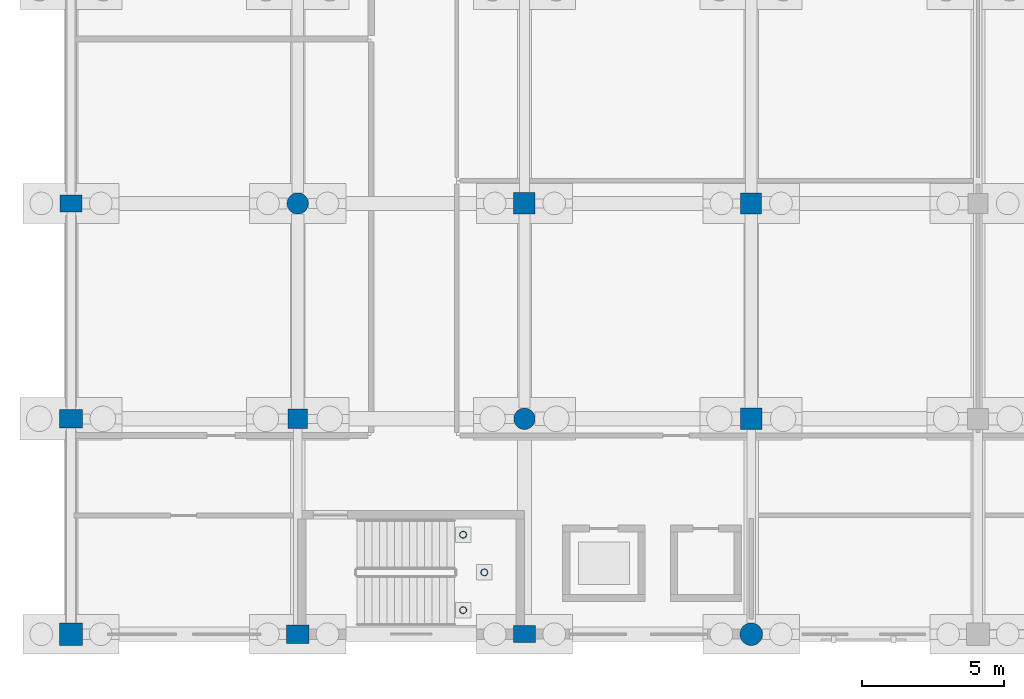
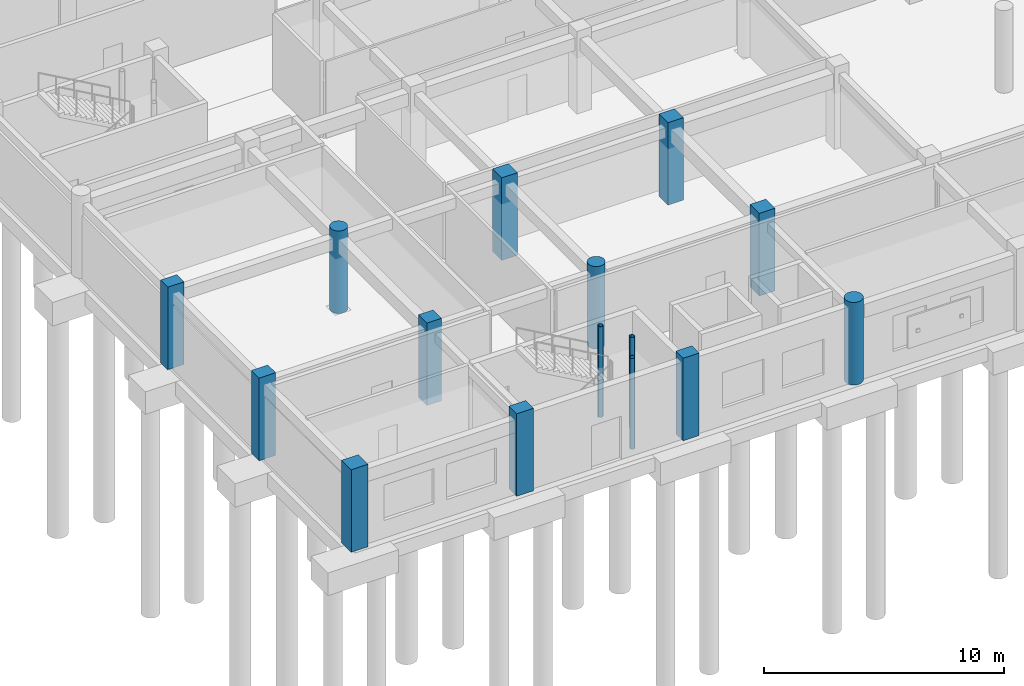
# One storey, part 2 of 11: 15 columns.
"""IFC4 building model written with IfcOpenShell, lengths in metres."""

from ifc_helpers import new_model, si_unit, direction, frame, origin, origin_2d, place, context, subcontext, project, spatial, rectangle, circle, hollow_circle, extrude, material, material_profile, profile_set, type_object, element, save


model = new_model("IFC4")

# Units and contexts
model_context = context("Model", 3, precision=1e-05, world=origin(), true_north=direction((0.0, 1.0)))
body_context = subcontext(model_context, "Body", "Model", "MODEL_VIEW")
ifc_project = project(units=[si_unit("LENGTHUNIT", "METRE"), si_unit("AREAUNIT", "SQUARE_METRE"), si_unit("VOLUMEUNIT", "CUBIC_METRE"), si_unit("PLANEANGLEUNIT", "RADIAN"), si_unit("MASSUNIT", "GRAM", prefix="KILO")], contexts=[model_context])

# Site, building, storey
site_placement = place(None, origin())
site = spatial("IfcSite", under=ifc_project, at=site_placement, CompositionType="ELEMENT")
building_placement = place(site_placement, origin())
building = spatial("IfcBuilding", under=site, at=building_placement, Name="Kharva Crest Polytechnic", CompositionType="ELEMENT")
storey_placement = place(building_placement, frame((0.0, 0.0, -4.199951171875)))
storey = spatial("IfcBuildingStorey", under=building, at=storey_placement, Name="LG", CompositionType="ELEMENT", Elevation=-4.199951171875)

# Columns
ifc_material_1 = material(Name="Concrete C40/50", Category="concrete")
ifc_material_profile_1 = material_profile(ifc_material_1, rectangle(XDim=0.780029296875, YDim=0.60009765625, at=origin_2d()), Name="RECT 780 X 600")
ifc_profile_set_1 = profile_set([ifc_material_profile_1], Name="Concrete C40/50")
column_type_1 = type_object("IfcColumnType", Name="COL-EXT-780X600", PredefinedType="COLUMN", material=ifc_profile_set_1)
for number, where, z_axis, x_axis, name in (
    (1, (120.800048828125, 15.199951171875, 0.0), (0.0, 0.0, 1.0), (1.0, 0.0, 0.0), "LG Column 16J/C"),
    (2, (136.800048828125, 0.0, 0.0), (0.0, 0.0, 1.0), (1.0, 0.0, 0.0), "LG Column 18/A"),
):
    element("IfcColumn", number, at=place(storey_placement, frame(where, z_axis=z_axis, x_axis=x_axis)), inside=storey, type_object=column_type_1, Name=name, PredefinedType="COLUMN", context=body_context, shape_type="SweptSolid", body=[
        extrude(rectangle(XDim=0.780029296875, YDim=0.60009765625, at=origin_2d()), origin(), (0.0, 0.0, 1.0), 4.199951171875),
    ])
ifc_material_profile_2 = material_profile(ifc_material_1, rectangle(XDim=0.800048828125, YDim=0.64990234375, at=origin_2d()), Name="RECT 800 X 650")
ifc_profile_set_2 = profile_set([ifc_material_profile_2], Name="Concrete C40/50")
column_type_2 = type_object("IfcColumnType", Name="COL-EXT-800X650", PredefinedType="COLUMN", material=ifc_profile_set_2)
for number, where, z_axis, x_axis, name in (
    (3, (120.800048828125, 7.60009765625, 0.0), (0.0, 0.0, 1.0), (1.0, 0.0, 0.0), "LG Column 16J/B"),
    (4, (128.800048828125, 0.0, 0.0), (0.0, 0.0, 1.0), (1.0, 0.0, 0.0), "LG Column 17/A"),
):
    element("IfcColumn", number, at=place(storey_placement, frame(where, z_axis=z_axis, x_axis=x_axis)), inside=storey, type_object=column_type_2, Name=name, PredefinedType="COLUMN", context=body_context, shape_type="SweptSolid", body=[
        extrude(rectangle(XDim=0.800048828125, YDim=0.64990234375, at=origin_2d()), origin(), (0.0, 0.0, 1.0), 4.199951171875),
    ])
ifc_material_profile_3 = material_profile(ifc_material_1, rectangle(XDim=0.800048828125, YDim=0.800048828125, at=origin_2d()), Name="RECT 800 X 800")
ifc_profile_set_3 = profile_set([ifc_material_profile_3], Name="Concrete C40/50")
column_type_3 = type_object("IfcColumnType", Name="COL-EXT-800X800", PredefinedType="COLUMN", material=ifc_profile_set_3)
column_1_placement = place(storey_placement, frame((120.800048828125, 0.0, 0.0), z_axis=(0.0, 0.0, 1.0), x_axis=(1.0, 0.0, 0.0)))
element("IfcColumn", 5, at=column_1_placement, inside=storey, type_object=column_type_3, Name="LG Column 16J/A", PredefinedType="COLUMN", context=body_context, shape_type="SweptSolid", body=[
    extrude(rectangle(XDim=0.800048828125, YDim=0.800048828125, at=origin_2d()), origin(), (0.0, 0.0, 1.0), 4.199951171875),
])
ifc_material_profile_4 = material_profile(ifc_material_1, circle(Radius=0.39990234375, at=origin_2d()), Name="DIA 800")
ifc_profile_set_4 = profile_set([ifc_material_profile_4], Name="Concrete C40/50")
column_type_4 = type_object("IfcColumnType", Name="COL-EXT-DIA800", PredefinedType="COLUMN", material=ifc_profile_set_4)
column_2_placement = place(storey_placement, frame((144.800048828125, 0.0, 0.0), z_axis=(0.0, 0.0, 1.0), x_axis=(1.0, 0.0, 0.0)))
element("IfcColumn", 6, at=column_2_placement, inside=storey, type_object=column_type_4, Name="LG Column 19/A", PredefinedType="COLUMN", context=body_context, shape_type="SweptSolid", body=[
    extrude(circle(Radius=0.39990234375, at=origin_2d()), origin(), (0.0, 0.0, 1.0), 4.199951171875),
])
ifc_material_profile_5 = material_profile(ifc_material_1, rectangle(XDim=0.699951171875, YDim=0.699951171875, at=origin_2d()), Name="RECT 700 X 700")
ifc_profile_set_5 = profile_set([ifc_material_profile_5], Name="Concrete C40/50")
column_type_5 = type_object("IfcColumnType", Name="COL-INT-700X700", PredefinedType="COLUMN", material=ifc_profile_set_5)
column_3_placement = place(storey_placement, frame((128.800048828125, 7.60009765625, 0.0), z_axis=(0.0, 0.0, 1.0), x_axis=(1.0, 0.0, 0.0)))
element("IfcColumn", 7, at=column_3_placement, inside=storey, type_object=column_type_5, Name="LG Column 17/B", PredefinedType="COLUMN", context=body_context, shape_type="SweptSolid", body=[
    extrude(rectangle(XDim=0.699951171875, YDim=0.699951171875, at=origin_2d()), origin(), (0.0, 0.0, 1.0), 4.199951171875),
])
ifc_material_profile_6 = material_profile(ifc_material_1, rectangle(XDim=0.739990234375, YDim=0.739990234375, at=origin_2d()), Name="RECT 740 X 740")
ifc_profile_set_6 = profile_set([ifc_material_profile_6], Name="Concrete C40/50")
column_type_6 = type_object("IfcColumnType", Name="COL-INT-740X740", PredefinedType="COLUMN", material=ifc_profile_set_6)
column_4_placement = place(storey_placement, frame((144.800048828125, 15.199951171875, 0.0), z_axis=(0.0, 0.0, 1.0), x_axis=(1.0, 0.0, 0.0)))
element("IfcColumn", 8, at=column_4_placement, inside=storey, type_object=column_type_6, Name="LG Column 19/C", PredefinedType="COLUMN", context=body_context, shape_type="SweptSolid", body=[
    extrude(rectangle(XDim=0.739990234375, YDim=0.739990234375, at=origin_2d()), origin(), (0.0, 0.0, 1.0), 4.199951171875),
])
ifc_material_profile_7 = material_profile(ifc_material_1, rectangle(XDim=0.760009765625, YDim=0.760009765625, at=origin_2d()), Name="RECT 760 X 760")
ifc_profile_set_7 = profile_set([ifc_material_profile_7], Name="Concrete C40/50")
column_type_7 = type_object("IfcColumnType", Name="COL-INT-760X760", PredefinedType="COLUMN", material=ifc_profile_set_7)
for number, where, z_axis, x_axis, name in (
    (9, (136.800048828125, 15.199951171875, 0.0), (0.0, 0.0, 1.0), (1.0, 0.0, 0.0), "LG Column 18/C"),
    (10, (144.800048828125, 7.60009765625, 0.0), (0.0, 0.0, 1.0), (1.0, 0.0, 0.0), "LG Column 19/B"),
):
    element("IfcColumn", number, at=place(storey_placement, frame(where, z_axis=z_axis, x_axis=x_axis)), inside=storey, type_object=column_type_7, Name=name, PredefinedType="COLUMN", context=body_context, shape_type="SweptSolid", body=[
        extrude(rectangle(XDim=0.760009765625, YDim=0.760009765625, at=origin_2d()), origin(), (0.0, 0.0, 1.0), 4.199951171875),
    ])
ifc_material_profile_8 = material_profile(ifc_material_1, circle(Radius=0.375, at=origin_2d()), Name="DIA 750")
ifc_profile_set_8 = profile_set([ifc_material_profile_8], Name="Concrete C40/50")
column_type_8 = type_object("IfcColumnType", Name="COL-INT-DIA750", PredefinedType="COLUMN", material=ifc_profile_set_8)
for number, where, z_axis, x_axis, name in (
    (11, (128.800048828125, 15.199951171875, 0.0), (0.0, 0.0, 1.0), (1.0, 0.0, 0.0), "LG Column 17/C"),
    (12, (136.800048828125, 7.60009765625, 0.0), (0.0, 0.0, 1.0), (1.0, 0.0, 0.0), "LG Column 18/B"),
):
    element("IfcColumn", number, at=place(storey_placement, frame(where, z_axis=z_axis, x_axis=x_axis)), inside=storey, type_object=column_type_8, Name=name, PredefinedType="COLUMN", context=body_context, shape_type="SweptSolid", body=[
        extrude(circle(Radius=0.375, at=origin_2d()), origin(), (0.0, 0.0, 1.0), 4.199951171875),
    ])
ifc_material_2 = material(Name="Steel S355", Category="steel")
ifc_material_profile_9 = material_profile(ifc_material_2, hollow_circle(Radius=0.122314453125, WallThickness=0.010009765625, at=origin_2d()), Name="CHS 244.5X10.0")
ifc_profile_set_9 = profile_set([ifc_material_profile_9], Name="Steel S355")
column_type_9 = type_object("IfcColumnType", Name="COL-STL-CHS244", PredefinedType="COLUMN", material=ifc_profile_set_9)
for number, where, z_axis, x_axis, name in (
    (13, (134.635009765625, 0.85009765625, -0.420166015625), (0.0, 0.0, 1.0), (1.0, 0.0, 0.0), "LG Stair ST-06 Landing Support Column SW"),
    (14, (134.635009765625, 3.510009765625, -0.420166015625), (0.0, 0.0, 1.0), (1.0, 0.0, 0.0), "LG Stair ST-06 Landing Support Column NW"),
    (15, (135.385009765625, 2.179931640625, -0.420166015625), (0.0, 0.0, 1.0), (1.0, 0.0, 0.0), "LG Stair ST-06 Landing Support Column EM"),
):
    element("IfcColumn", number, at=place(storey_placement, frame(where, z_axis=z_axis, x_axis=x_axis)), inside=storey, type_object=column_type_9, Name=name, PredefinedType="COLUMN", context=body_context, shape_type="SweptSolid", body=[
        extrude(hollow_circle(Radius=0.122314453125, WallThickness=0.010009765625, at=origin_2d()), origin(), (0.0, 0.0, 1.0), 4.6201171875),
    ])

save(model, "model.ifc")
